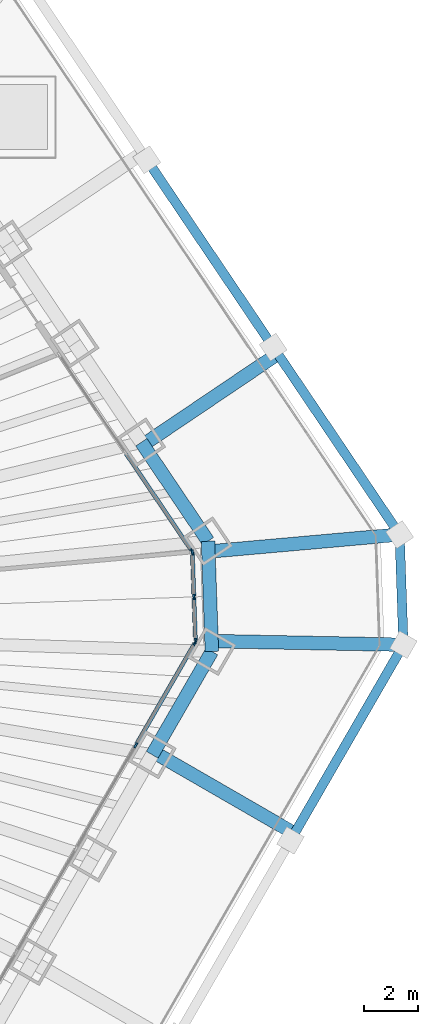
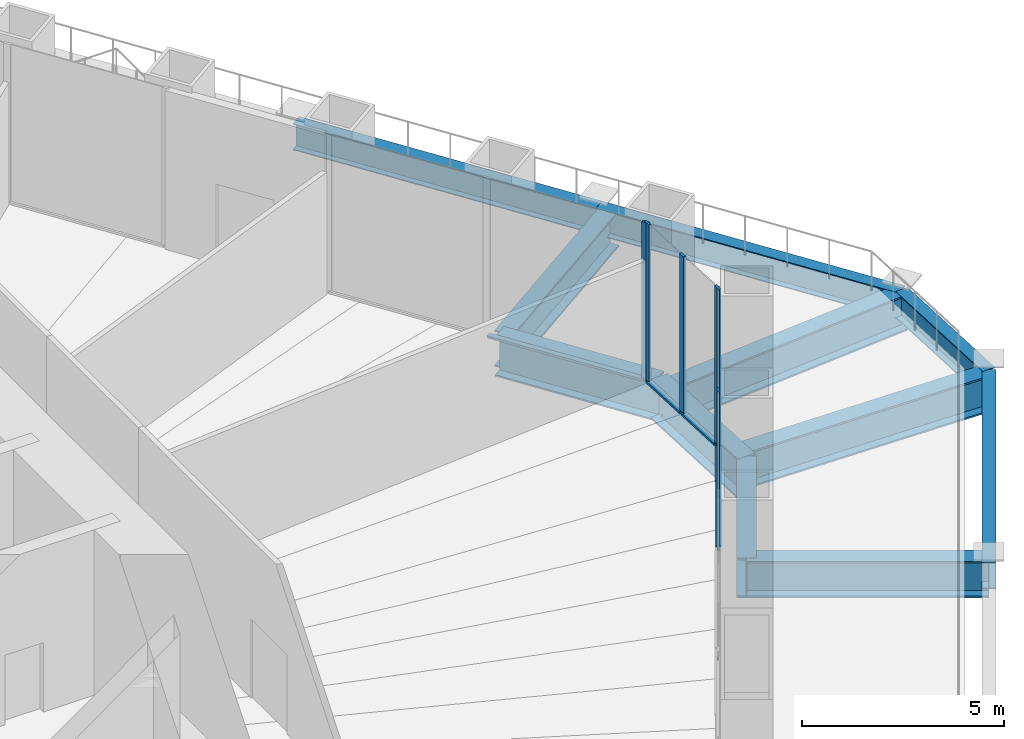
# One storey, part 11 of 20: 11 beams, 10 members, 3 elements without a shape of their own.
"""IFC4 building model written with IfcOpenShell, lengths in metres."""

from ifc_helpers import new_model, si_unit, direction, frame, origin, origin_2d, place, context, subcontext, project, spatial, rectangle, i_section, extrude, material, material_profile, profile_set, type_object, element, aggregate, save


model = new_model("IFC4")

# Units and contexts
model_context = context("Model", 3, precision=1e-05, world=origin(), true_north=direction((0.0, 1.0)))
body_context = subcontext(model_context, "Body", "Model", "MODEL_VIEW")
ifc_project = project(units=[si_unit("LENGTHUNIT", "METRE"), si_unit("AREAUNIT", "SQUARE_METRE"), si_unit("VOLUMEUNIT", "CUBIC_METRE"), si_unit("PLANEANGLEUNIT", "RADIAN"), si_unit("MASSUNIT", "GRAM", prefix="KILO")], contexts=[model_context])

# Site, building, storey
site_placement = place(None, origin())
site = spatial("IfcSite", under=ifc_project, at=site_placement, CompositionType="ELEMENT")
building_placement = place(site_placement, origin())
building = spatial("IfcBuilding", under=site, at=building_placement, Name="Qingtian Harvest Tower", CompositionType="ELEMENT")
storey_placement = place(building_placement, frame((0.0, 0.0, 17.0)))
storey = spatial("IfcBuildingStorey", under=building, at=storey_placement, Name="L03", CompositionType="ELEMENT", Elevation=17.0)

# Beams
ifc_material_1 = material(Name="Steel SM570MC", Category="steel")
ifc_material_profile_1 = material_profile(ifc_material_1, i_section(OverallWidth=0.5, OverallDepth=1.10009765625, WebThickness=0.02490234375, FlangeThickness=0.050048828125, at=origin_2d()), Name="H1100x500x25x50")
ifc_profile_set_1 = profile_set([ifc_material_profile_1], Name="Steel SM570MC")
beam_type_1 = type_object("IfcBeamType", Name="Floor beam FB6 H1100x500x25x50", PredefinedType="BEAM", material=ifc_profile_set_1)
beam_1_placement = place(storey_placement, frame((33.05029296875, 10.0146484375, -0.85009765625), z_axis=(-0.829039666934, -0.559189798414, 0.0), x_axis=(0.559189798414, -0.829039666934, 0.0)))
element("IfcBeam", 1, at=beam_1_placement, inside=storey, type_object=beam_type_1, Name="Podium floor beam FB6 NE3", PredefinedType="BEAM", context=body_context, shape_type="SweptSolid", body=[
    extrude(i_section(OverallWidth=0.5, OverallDepth=1.10009765625, WebThickness=0.02490234375, FlangeThickness=0.050048828125, at=origin_2d()), origin(), (0.0, 0.0, 1.0), 6.000244140625),
])
for number, where, z_axis, x_axis, name in (
    (2, (37.547119140625, 3.34765625, -0.85009765625), (-0.996049850269, -0.088795809463, 0.0), (0.088795809463, -0.996049850269, 0.0), "Podium floor beam FB6 NE4"),
    (3, (37.689208984375, -0.720458984375, -0.85009765625), (-0.999817134486, 0.019123221203, 0.0), (-0.019123221203, -0.999817134486, 0.0), "Podium floor beam FB6 SE0"),
):
    element("IfcBeam", number, at=place(storey_placement, frame(where, z_axis=z_axis, x_axis=x_axis)), inside=storey, type_object=beam_type_1, Name=name, PredefinedType="BEAM", context=body_context, shape_type="SweptSolid", body=[
        extrude(i_section(OverallWidth=0.5, OverallDepth=1.10009765625, WebThickness=0.02490234375, FlangeThickness=0.050048828125, at=origin_2d()), origin(), (0.0, 0.0, 1.0), 7.08544921875),
    ])
beam_2_placement = place(storey_placement, frame((33.668212890625, -7.684814453125, -0.85009765625), z_axis=(-0.866020924479, 0.500007758305, 0.0), x_axis=(-0.500007758305, -0.866020924479, 0.0)))
element("IfcBeam", 4, at=beam_2_placement, inside=storey, type_object=beam_type_1, Name="Podium floor beam FB6 SE1", PredefinedType="BEAM", context=body_context, shape_type="SweptSolid", body=[
    extrude(i_section(OverallWidth=0.5, OverallDepth=1.10009765625, WebThickness=0.02490234375, FlangeThickness=0.050048828125, at=origin_2d()), origin(), (0.0, 0.0, 1.0), 6.0),
])

# Curtain wall, member
ifc_material_2 = material(Name="Bronze-anodised aluminium curtain wall", Category="aluminium")
curtain_wall_type = type_object("IfcCurtainWallType", Name="Curtain wall CW2 farm reception", PredefinedType="USERDEFINED", material=ifc_material_2)
curtain_wall_1_placement = place(storey_placement, origin())
curtain_wall_1 = element("IfcCurtainWall", 5, at=curtain_wall_1_placement, inside=storey, type_object=curtain_wall_type, Name="Curtain wall CW2 L03 NE4-5", ObjectType="RECESSED CURTAIN WALL", PredefinedType="USERDEFINED")
ifc_material_3 = material(Name="Bronze-anodised aluminium mullion", Category="aluminium")
ifc_material_profile_2 = material_profile(ifc_material_3, rectangle(XDim=0.06494140625, YDim=0.199951171875, at=origin_2d()), Name="AL 65x200")
ifc_profile_set_2 = profile_set([ifc_material_profile_2], Name="Bronze-anodised aluminium mullion")
member_type_1 = type_object("IfcMemberType", Name="Mullion CWM 65x200", PredefinedType="MULLION", material=ifc_profile_set_2)
member_1_placement = place(storey_placement, frame((29.8779296875, 2.736328125, 0.0), z_axis=(0.0, 0.0, 1.0), x_axis=(0.829037572555, 0.559192903471, 0.0)))
member_1 = element("IfcMember", 6, at=member_1_placement, type_object=member_type_1, Name="CW2 mullion 3", PredefinedType="MULLION", context=body_context, shape_type="SweptSolid", body=[
    extrude(rectangle(XDim=0.06494140625, YDim=0.199951171875, at=origin_2d()), origin(), (0.0, 0.0, 1.0), 4.800048828125),
])

# Curtain wall, members
curtain_wall_2_placement = place(storey_placement, origin())
curtain_wall_2 = element("IfcCurtainWall", 7, at=curtain_wall_2_placement, inside=storey, type_object=curtain_wall_type, Name="Curtain wall CW2 L03 NEC", ObjectType="RECESSED CURTAIN WALL", PredefinedType="USERDEFINED")
member_2_placement = place(storey_placement, frame((29.897216796875, 2.677001953125, 0.0), z_axis=(0.0, 0.0, 1.0), x_axis=(0.999390827019, 0.034899496703, 0.0)))
member_2 = element("IfcMember", 8, at=member_2_placement, type_object=member_type_1, Name="CW2 mullion 1", PredefinedType="MULLION", context=body_context, shape_type="SweptSolid", body=[
    extrude(rectangle(XDim=0.06494140625, YDim=0.199951171875, at=origin_2d()), origin(), (0.0, 0.0, 1.0), 4.800048828125),
])
member_3_placement = place(storey_placement, frame((29.9541015625, 1.046142578125, 0.0), z_axis=(0.0, 0.0, 1.0), x_axis=(0.999390827019, 0.034899496703, 0.0)))
member_3 = element("IfcMember", 9, at=member_3_placement, type_object=member_type_1, Name="CW2 mullion 2", PredefinedType="MULLION", context=body_context, shape_type="SweptSolid", body=[
    extrude(rectangle(XDim=0.06494140625, YDim=0.199951171875, at=origin_2d()), origin(), (0.0, 0.0, 1.0), 4.800048828125),
])
member_4_placement = place(storey_placement, frame((30.010986328125, -0.5849609375, 0.0), z_axis=(0.0, 0.0, 1.0), x_axis=(0.999390827019, 0.034899496703, 0.0)))
member_4 = element("IfcMember", 10, at=member_4_placement, type_object=member_type_1, Name="CW2 mullion 3", PredefinedType="MULLION", context=body_context, shape_type="SweptSolid", body=[
    extrude(rectangle(XDim=0.06494140625, YDim=0.199951171875, at=origin_2d()), origin(), (0.0, 0.0, 1.0), 4.800048828125),
])

curtain_wall_3_placement = place(storey_placement, origin())
curtain_wall_3 = element("IfcCurtainWall", 11, at=curtain_wall_3_placement, inside=storey, type_object=curtain_wall_type, Name="Curtain wall CW2 L03 SE0-5", ObjectType="RECESSED CURTAIN WALL", PredefinedType="USERDEFINED")
member_5_placement = place(storey_placement, frame((29.995849609375, -0.6455078125, 0.0), z_axis=(0.0, 0.0, 1.0), x_axis=(0.866025403784, -0.5, 0.0)))
member_5 = element("IfcMember", 12, at=member_5_placement, type_object=member_type_1, Name="CW2 mullion 1", PredefinedType="MULLION", context=body_context, shape_type="SweptSolid", body=[
    extrude(rectangle(XDim=0.06494140625, YDim=0.199951171875, at=origin_2d()), origin(), (0.0, 0.0, 1.0), 4.800048828125),
])
member_6_placement = place(storey_placement, frame((27.809814453125, -4.431884765625, 0.0), z_axis=(0.0, 0.0, 1.0), x_axis=(0.866025403784, -0.5, 0.0)))
member_6 = element("IfcMember", 13, at=member_6_placement, type_object=member_type_1, Name="CW2 mullion 2", PredefinedType="MULLION", context=body_context, shape_type="SweptSolid", body=[
    extrude(rectangle(XDim=0.06494140625, YDim=0.199951171875, at=origin_2d()), origin(), (0.0, 0.0, 1.0), 4.800048828125),
])

# Beams
ifc_material_4 = material(Name="Steel SN490B", Category="steel")
ifc_material_profile_3 = material_profile(ifc_material_4, i_section(OverallWidth=0.35009765625, OverallDepth=0.800048828125, WebThickness=0.01611328125, FlangeThickness=0.028076171875, at=origin_2d()), Name="H800x350x16x28")
ifc_profile_set_3 = profile_set([ifc_material_profile_3], Name="Steel SN490B")
beam_type_2 = type_object("IfcBeamType", Name="Podium beam PB1 H800x350x16x28", PredefinedType="BEAM", material=ifc_profile_set_3)
for number, where, z_axis, x_axis, name in (
    (14, (28.2177734375, 17.178955078125, -0.699951171875), (0.559210439086, -0.829025744363, 0.0), (0.829025744363, 0.559210439086, 0.0), "Podium edge beam PB1 NE2"),
    (15, (32.882568359375, 10.263427734375, -0.699951171875), (0.559176755628, -0.829048464183, 0.0), (0.829048464183, 0.559176755628, 0.0), "Podium edge beam PB1 NE3"),
):
    element("IfcBeam", number, at=place(storey_placement, frame(where, z_axis=z_axis, x_axis=x_axis)), inside=storey, type_object=beam_type_2, Name=name, PredefinedType="BEAM", context=body_context, shape_type="SweptSolid", body=[
        extrude(i_section(OverallWidth=0.35009765625, OverallDepth=0.800048828125, WebThickness=0.01611328125, FlangeThickness=0.028076171875, at=origin_2d()), origin(), (0.0, 0.0, 1.0), 8.341796875),
    ])
beam_3_placement = place(storey_placement, frame((37.547119140625, 3.34765625, -0.699951171875), z_axis=(0.03490639867, -0.999390585973, 0.0), x_axis=(0.999390585973, 0.03490639867, 0.0)))
element("IfcBeam", 16, at=beam_3_placement, inside=storey, type_object=beam_type_2, Name="Podium edge beam PB1 NE4", PredefinedType="BEAM", context=body_context, shape_type="SweptSolid", body=[
    extrude(i_section(OverallWidth=0.35009765625, OverallDepth=0.800048828125, WebThickness=0.01611328125, FlangeThickness=0.028076171875, at=origin_2d()), origin(), (0.0, 0.0, 1.0), 4.070556640625),
])
beam_4_placement = place(storey_placement, frame((37.689208984375, -0.720458984375, -0.699951171875), z_axis=(-0.500004511595, -0.866022798998, 0.0), x_axis=(0.866022798998, -0.500004511595, 0.0)))
element("IfcBeam", 17, at=beam_4_placement, inside=storey, type_object=beam_type_2, Name="Podium edge beam PB1 SE0", PredefinedType="BEAM", context=body_context, shape_type="SweptSolid", body=[
    extrude(i_section(OverallWidth=0.35009765625, OverallDepth=0.800048828125, WebThickness=0.01611328125, FlangeThickness=0.028076171875, at=origin_2d()), origin(), (0.0, 0.0, 1.0), 8.341796875),
])
ifc_material_5 = material(Name="Steel SM570MC", Category="steel")
ifc_material_profile_4 = material_profile(ifc_material_5, i_section(OverallWidth=0.5, OverallDepth=1.199951171875, WebThickness=0.02490234375, FlangeThickness=0.050048828125, at=origin_2d()), Name="H1200x500x25x50")
ifc_profile_set_4 = profile_set([ifc_material_profile_4], Name="Steel SM570MC")
beam_type_3 = type_object("IfcBeamType", Name="Spandrel beam SB1 H1200x500x25x50", PredefinedType="SPANDREL", material=ifc_profile_set_4)
beam_5_placement = place(storey_placement, frame((28.013427734375, 6.75244140625, -0.89990234375), z_axis=(0.559169135272, -0.829053603912, 0.0), x_axis=(0.829053603912, 0.559169135272, 0.0)))
element("IfcBeam", 18, at=beam_5_placement, inside=storey, type_object=beam_type_3, Name="Spandrel SB1 NE5", PredefinedType="SPANDREL", context=body_context, shape_type="SweptSolid", body=[
    extrude(i_section(OverallWidth=0.5, OverallDepth=1.199951171875, WebThickness=0.02490234375, FlangeThickness=0.050048828125, at=origin_2d()), origin(), (0.0, 0.0, 1.0), 4.404541015625),
])
beam_6_placement = place(storey_placement, frame((30.476318359375, 3.100830078125, -0.89990234375), z_axis=(0.03490639867, -0.999390585973, 0.0), x_axis=(0.999390585973, 0.03490639867, 0.0)))
element("IfcBeam", 19, at=beam_6_placement, inside=storey, type_object=beam_type_3, Name="Spandrel SB1 NEC", PredefinedType="SPANDREL", context=body_context, shape_type="SweptSolid", body=[
    extrude(i_section(OverallWidth=0.5, OverallDepth=1.199951171875, WebThickness=0.02490234375, FlangeThickness=0.050048828125, at=origin_2d()), origin(), (0.0, 0.0, 1.0), 4.070556640625),
])
beam_7_placement = place(storey_placement, frame((30.618408203125, -0.96728515625, -0.89990234375), z_axis=(-0.50001992892, -0.866013897511, 0.0), x_axis=(0.866013897511, -0.50001992892, 0.0)))
element("IfcBeam", 20, at=beam_7_placement, inside=storey, type_object=beam_type_3, Name="Spandrel SB1 SE0", PredefinedType="SPANDREL", context=body_context, shape_type="SweptSolid", body=[
    extrude(i_section(OverallWidth=0.5, OverallDepth=1.199951171875, WebThickness=0.02490234375, FlangeThickness=0.050048828125, at=origin_2d()), origin(), (0.0, 0.0, 1.0), 4.404541015625),
])

# Member
ifc_material_6 = material(Name="Bronze-anodised aluminium transom", Category="aluminium")
ifc_material_profile_5 = material_profile(ifc_material_6, rectangle(XDim=0.14990234375, YDim=0.06494140625, at=origin_2d()), Name="AL 65x150")
ifc_profile_set_5 = profile_set([ifc_material_profile_5], Name="Bronze-anodised aluminium transom")
member_type_2 = type_object("IfcMemberType", Name="Transom CWT 65x150", PredefinedType="USERDEFINED", material=ifc_profile_set_5)
member_7_placement = place(storey_placement, frame((27.451171875, 6.333984375, 0.032470703125), z_axis=(0.559178817275, -0.82904707364, 0.0), x_axis=(0.82904707364, 0.559178817275, 0.0)))
member_7 = element("IfcMember", 21, at=member_7_placement, type_object=member_type_2, Name="CW2 transom 2.1", ObjectType="TRANSOM", PredefinedType="USERDEFINED", context=body_context, shape_type="SweptSolid", body=[
    extrude(rectangle(XDim=0.14990234375, YDim=0.06494140625, at=origin_2d()), origin(), (0.0, 0.0, 1.0), 4.30712890625),
])

aggregate(curtain_wall_1, [member_1, member_7])

member_8_placement = place(storey_placement, frame((29.898193359375, 2.64453125, 0.032470703125), z_axis=(0.034902326647, -0.999390728191, 0.0), x_axis=(0.999390728191, 0.034902326647, 0.0)))
member_8 = element("IfcMember", 22, at=member_8_placement, type_object=member_type_2, Name="CW2 transom 1.1", ObjectType="TRANSOM", PredefinedType="USERDEFINED", context=body_context, shape_type="SweptSolid", body=[
    extrude(rectangle(XDim=0.14990234375, YDim=0.06494140625, at=origin_2d()), origin(), (0.0, 0.0, 1.0), 1.56689453125),
])

member_9_placement = place(storey_placement, frame((29.955322265625, 1.013427734375, 0.032470703125), z_axis=(0.034902326647, -0.999390728191, 0.0), x_axis=(0.999390728191, 0.034902326647, 0.0)))
member_9 = element("IfcMember", 23, at=member_9_placement, type_object=member_type_2, Name="CW2 transom 2.1", ObjectType="TRANSOM", PredefinedType="USERDEFINED", context=body_context, shape_type="SweptSolid", body=[
    extrude(rectangle(XDim=0.14990234375, YDim=0.06494140625, at=origin_2d()), origin(), (0.0, 0.0, 1.0), 1.56689453125),
])

aggregate(curtain_wall_2, [member_2, member_3, member_4, member_8, member_9])

member_10_placement = place(storey_placement, frame((29.979736328125, -0.673583984375, 0.032470703125), z_axis=(-0.499985768833, -0.866033619997, 0.0), x_axis=(0.866033619997, -0.499985768833, 0.0)))
member_10 = element("IfcMember", 24, at=member_10_placement, type_object=member_type_2, Name="CW2 transom 1.1", ObjectType="TRANSOM", PredefinedType="USERDEFINED", context=body_context, shape_type="SweptSolid", body=[
    extrude(rectangle(XDim=0.14990234375, YDim=0.06494140625, at=origin_2d()), origin(), (0.0, 0.0, 1.0), 4.307373046875),
])

aggregate(curtain_wall_3, [member_5, member_6, member_10])

save(model, "model.ifc")
